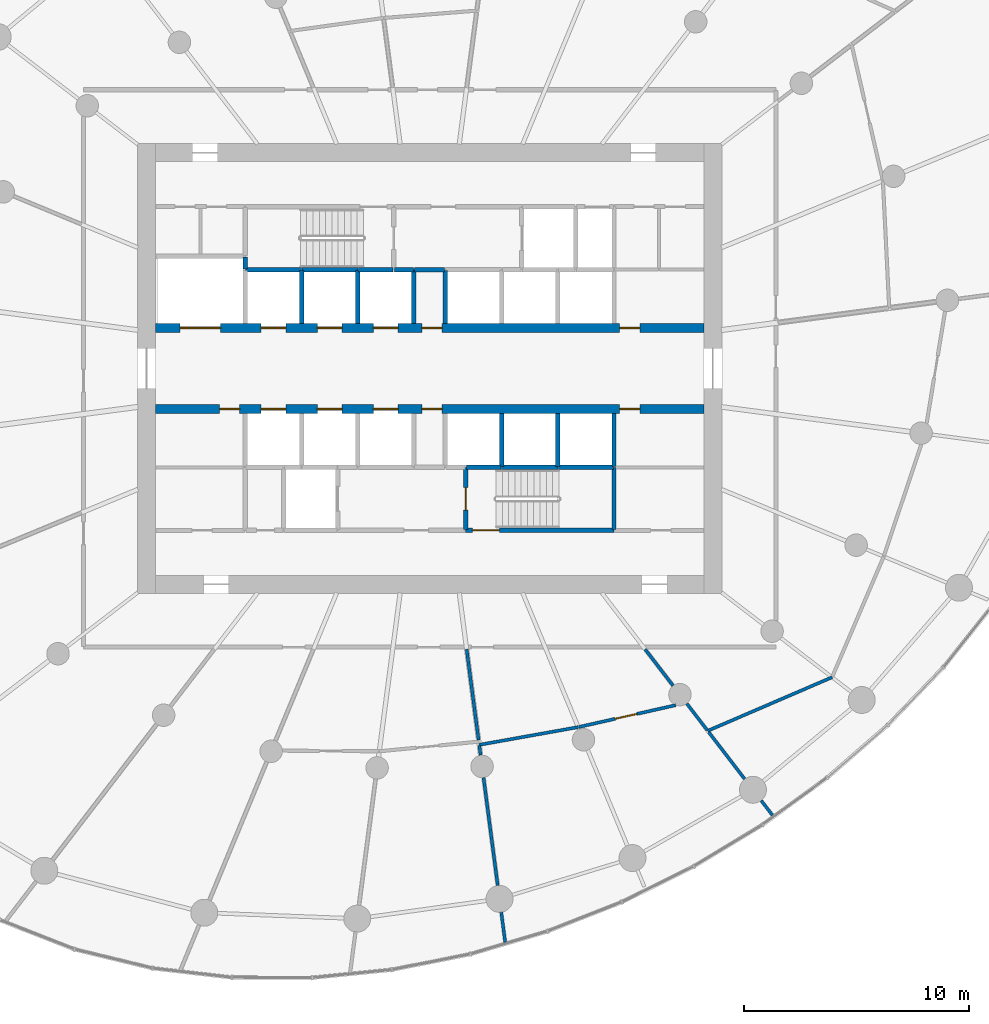
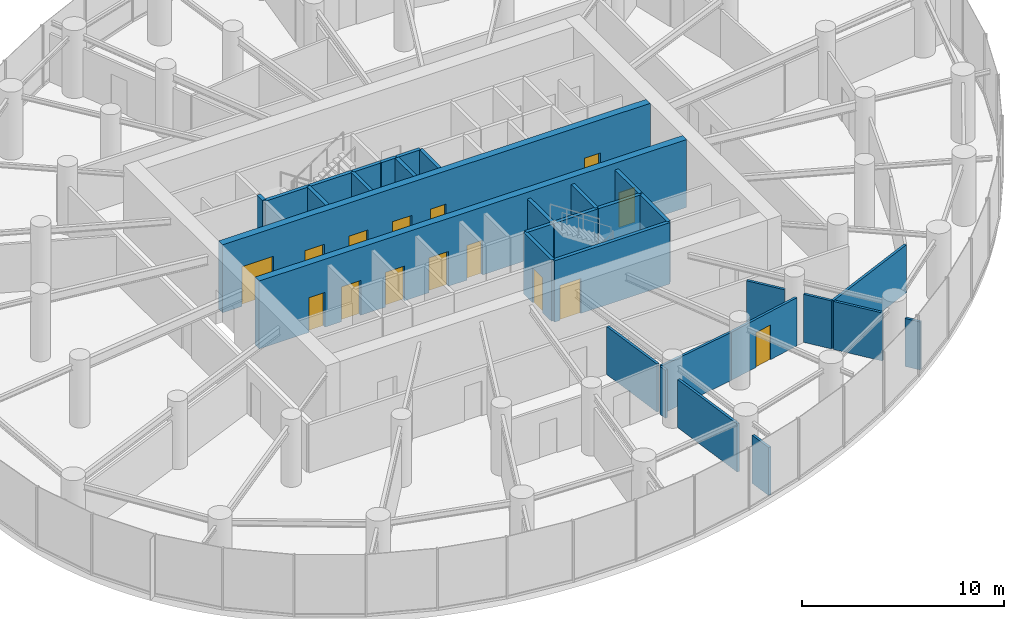
# One storey, part 11 of 17: 32 walls, 15 doors, 15 openings.
"""IFC4 building model written with IfcOpenShell, lengths in metres."""

from ifc_helpers import new_model, si_unit, direction, frame, frame_2d, origin, place, context, subcontext, project, spatial, rectangle, extrude, source, transform, mapped, material, layer, layer_set, type_object, element, fill, save


model = new_model("IFC4")

# Units and contexts
model_context = context("Model", 3, precision=1e-05, world=origin(), true_north=direction((0.0, 1.0)))
body_context = subcontext(model_context, "Body", "Model", "MODEL_VIEW")
ifc_project = project(units=[si_unit("LENGTHUNIT", "METRE"), si_unit("AREAUNIT", "SQUARE_METRE"), si_unit("VOLUMEUNIT", "CUBIC_METRE"), si_unit("PLANEANGLEUNIT", "RADIAN"), si_unit("MASSUNIT", "GRAM", prefix="KILO")], contexts=[model_context])

# Site, building, storey
site_placement = place(None, origin())
site = spatial("IfcSite", under=ifc_project, at=site_placement, CompositionType="ELEMENT")
building_placement = place(site_placement, origin())
building = spatial("IfcBuilding", under=site, at=building_placement, Name="Spindrift Exchange Tower", CompositionType="ELEMENT")
storey_placement = place(building_placement, frame((0.0, 0.0, 120.800048828125)))
storey = spatial("IfcBuildingStorey", under=building, at=storey_placement, Name="L28", CompositionType="ELEMENT", Elevation=120.800048828125)

# Wall, openings, doors
ifc_material_1 = material(Name="Concrete 65 MPa", Category="concrete")
ifc_layer_1 = layer(ifc_material_1, 0.39990234375)
ifc_layer_set_1 = layer_set([ifc_layer_1], Name="RC Spine Wall 400 Concrete 65 MPa")
wall_type_1 = type_object("IfcWallType", Name="RC Spine Wall 400 Concrete 65 MPa", PredefinedType="SHEAR", material=ifc_layer_set_1)
wall_1_placement = place(storey_placement, frame((39.800048828125, 49.800048828125, 0.0), z_axis=(0.0, 0.0, 1.0), x_axis=(1.0, 0.0, 0.0)))
wall_1 = element("IfcWall", 1, at=wall_1_placement, inside=storey, type_object=wall_type_1, Name="Core spine wall N L28", PredefinedType="SHEAR", context=body_context, shape_type="SweptSolid", body=[
    extrude(rectangle(XDim=24.39990234375, YDim=0.39990234375, at=frame_2d((12.199951171875, 0.0))), origin(), (0.0, 0.0, 1.0), 4.099853515625),
])
opening_1_placement = place(wall_1_placement, frame((4.699951171875, 0.0, 0.0)))
opening_1 = element("IfcOpeningElement", 2, at=opening_1_placement, cuts=wall_1, Name="Opening L28-D3", PredefinedType="OPENING", context=body_context, shape_type="SweptSolid", body=[
    extrude(rectangle(XDim=1.10009765625, YDim=2.10009765625, at=frame_2d((0.550048828125, 1.050048828125))), frame((0.0, 0.2099609375, 0.0), z_axis=(0.0, -1.0, 0.0), x_axis=(1.0, 0.0, 0.0)), (0.0, 0.0, 1.0), 0.419921875),
])
opening_2_placement = place(wall_1_placement, frame((7.199951171875, 0.0, 0.0)))
opening_2 = element("IfcOpeningElement", 3, at=opening_2_placement, cuts=wall_1, Name="Opening L28-D4", PredefinedType="OPENING", context=body_context, shape_type="SweptSolid", body=[
    extrude(rectangle(XDim=1.10009765625, YDim=2.10009765625, at=frame_2d((0.550048828125, 1.050048828125))), frame((0.0, 0.2099609375, 0.0), z_axis=(0.0, -1.0, 0.0), x_axis=(1.0, 0.0, 0.0)), (0.0, 0.0, 1.0), 0.419921875),
])
opening_3_placement = place(wall_1_placement, frame((9.699951171875, 0.0, 0.0)))
opening_3 = element("IfcOpeningElement", 4, at=opening_3_placement, cuts=wall_1, Name="Opening L28-D5", PredefinedType="OPENING", context=body_context, shape_type="SweptSolid", body=[
    extrude(rectangle(XDim=1.10009765625, YDim=2.10009765625, at=frame_2d((0.550048828125, 1.050048828125))), frame((0.0, 0.2099609375, 0.0), z_axis=(0.0, -1.0, 0.0), x_axis=(1.0, 0.0, 0.0)), (0.0, 0.0, 1.0), 0.419921875),
])
opening_4_placement = place(wall_1_placement, frame((1.10009765625, 0.0, 0.0)))
opening_4 = element("IfcOpeningElement", 5, at=opening_4_placement, cuts=wall_1, Name="Opening L28-D12", PredefinedType="OPENING", context=body_context, shape_type="SweptSolid", body=[
    extrude(rectangle(XDim=1.800048828125, YDim=2.39990234375, at=frame_2d((0.89990234375, 1.199951171875))), frame((0.0, 0.2099609375, 0.0), z_axis=(0.0, -1.0, 0.0), x_axis=(1.0, 0.0, 0.0)), (0.0, 0.0, 1.0), 0.419921875),
])
opening_5_placement = place(wall_1_placement, frame((20.64990234375, 0.0, 0.0)))
opening_5 = element("IfcOpeningElement", 6, at=opening_5_placement, cuts=wall_1, Name="Opening L28-D48", PredefinedType="OPENING", context=body_context, shape_type="SweptSolid", body=[
    extrude(rectangle(XDim=0.89990234375, YDim=2.10009765625, at=frame_2d((0.449951171875, 1.050048828125))), frame((0.0, 0.2099609375, 0.0), z_axis=(0.0, -1.0, 0.0), x_axis=(1.0, 0.0, 0.0)), (0.0, 0.0, 1.0), 0.419921875),
])
opening_6_placement = place(wall_1_placement, frame((11.85009765625, 0.0, 0.0)))
opening_6 = element("IfcOpeningElement", 7, at=opening_6_placement, cuts=wall_1, Name="Opening L28-D53", PredefinedType="OPENING", context=body_context, shape_type="SweptSolid", body=[
    extrude(rectangle(XDim=0.89990234375, YDim=2.10009765625, at=frame_2d((0.449951171875, 1.050048828125))), frame((0.0, 0.2099609375, 0.0), z_axis=(0.0, -1.0, 0.0), x_axis=(1.0, 0.0, 0.0)), (0.0, 0.0, 1.0), 0.419921875),
])
ifc_material_2 = material(Name="Stainless steel landing door", Category="steel")
door_type_1 = type_object("IfcDoorType", Name="DR-LANDING-1100-SL", OperationType="DOUBLE_DOOR_SLIDING", PredefinedType="USERDEFINED", material=ifc_material_2)
shared_shape_1 = source(origin(), body_context, "Body", "SweptSolid", [
    extrude(rectangle(XDim=1.10009765625, YDim=2.10009765625, at=frame_2d((0.550048828125, 1.050048828125))), frame((0.0, 0.02490234375, 0.0), z_axis=(0.0, -1.0, 0.0), x_axis=(1.0, 0.0, 0.0)), (0.0, 0.0, 1.0), 0.050048828125),
])
door_1_placement = place(opening_1_placement, origin())
door_1 = element("IfcDoor", 8, at=door_1_placement, inside=storey, type_object=door_type_1, Name="L28 Lift landing door 3", ObjectType="LANDING DOOR", OperationType="DOUBLE_DOOR_SLIDING", OverallHeight=2.10009765625, OverallWidth=1.10009765625, PredefinedType="USERDEFINED", context=body_context, shape_type="MappedRepresentation", body=[
    mapped(shared_shape_1, transform((0.0, 0.0, 0.0), scale=1.0)),
])
fill(opening_1, door_1)
door_2_placement = place(opening_2_placement, origin())
door_2 = element("IfcDoor", 9, at=door_2_placement, inside=storey, type_object=door_type_1, Name="L28 Lift landing door 4", ObjectType="LANDING DOOR", OperationType="DOUBLE_DOOR_SLIDING", OverallHeight=2.10009765625, OverallWidth=1.10009765625, PredefinedType="USERDEFINED", context=body_context, shape_type="MappedRepresentation", body=[
    mapped(shared_shape_1, transform((0.0, 0.0, 0.0), scale=1.0)),
])
fill(opening_2, door_2)
door_3_placement = place(opening_3_placement, origin())
door_3 = element("IfcDoor", 10, at=door_3_placement, inside=storey, type_object=door_type_1, Name="L28 Lift landing door 5", ObjectType="LANDING DOOR", OperationType="DOUBLE_DOOR_SLIDING", OverallHeight=2.10009765625, OverallWidth=1.10009765625, PredefinedType="USERDEFINED", context=body_context, shape_type="MappedRepresentation", body=[
    mapped(shared_shape_1, transform((0.0, 0.0, 0.0), scale=1.0)),
])
fill(opening_3, door_3)
door_type_2 = type_object("IfcDoorType", Name="DR-LANDING-1800-SL", OperationType="DOUBLE_DOOR_SLIDING", PredefinedType="USERDEFINED", material=ifc_material_2)
shared_shape_2 = source(origin(), body_context, "Body", "SweptSolid", [
    extrude(rectangle(XDim=1.800048828125, YDim=2.39990234375, at=frame_2d((0.89990234375, 1.199951171875))), frame((0.0, 0.02490234375, 0.0), z_axis=(0.0, -1.0, 0.0), x_axis=(1.0, 0.0, 0.0)), (0.0, 0.0, 1.0), 0.050048828125),
])
door_4_placement = place(opening_4_placement, origin())
door_4 = element("IfcDoor", 11, at=door_4_placement, inside=storey, type_object=door_type_2, Name="L28 Lift landing door 12", ObjectType="LANDING DOOR", OperationType="DOUBLE_DOOR_SLIDING", OverallHeight=2.39990234375, OverallWidth=1.800048828125, PredefinedType="USERDEFINED", context=body_context, shape_type="MappedRepresentation", body=[
    mapped(shared_shape_2, transform((0.0, 0.0, 0.0), scale=1.0)),
])
fill(opening_4, door_4)
ifc_material_3 = material(Name="Steel access door", Category="steel")
door_type_3 = type_object("IfcDoorType", Name="DR-RISER-900", OperationType="NOTDEFINED", PredefinedType="DOOR", material=ifc_material_3)
shared_shape_3 = source(origin(), body_context, "Body", "SweptSolid", [
    extrude(rectangle(XDim=0.89990234375, YDim=2.10009765625, at=frame_2d((0.449951171875, 1.050048828125))), frame((0.0, 0.02490234375, 0.0), z_axis=(0.0, -1.0, 0.0), x_axis=(1.0, 0.0, 0.0)), (0.0, 0.0, 1.0), 0.050048828125),
])
door_5_placement = place(opening_5_placement, origin())
door_5 = element("IfcDoor", 12, at=door_5_placement, inside=storey, type_object=door_type_3, Name="L28 Riser door 48", OperationType="SINGLE_SWING_LEFT", OverallHeight=2.10009765625, OverallWidth=0.89990234375, PredefinedType="DOOR", context=body_context, shape_type="MappedRepresentation", body=[
    mapped(shared_shape_3, transform((0.0, 0.0, 0.0), scale=1.0)),
])
fill(opening_5, door_5)
door_6_placement = place(opening_6_placement, origin())
door_6 = element("IfcDoor", 13, at=door_6_placement, inside=storey, type_object=door_type_3, Name="L28 Riser door 53", OperationType="SINGLE_SWING_RIGHT", OverallHeight=2.10009765625, OverallWidth=0.89990234375, PredefinedType="DOOR", context=body_context, shape_type="MappedRepresentation", body=[
    mapped(shared_shape_3, transform((0.0, 0.0, 0.0), scale=1.0)),
])
fill(opening_6, door_6)

wall_2_placement = place(storey_placement, frame((39.800048828125, 46.199951171875, 0.0), z_axis=(0.0, 0.0, 1.0), x_axis=(1.0, 0.0, 0.0)))
wall_2 = element("IfcWall", 14, at=wall_2_placement, inside=storey, type_object=wall_type_1, Name="Core spine wall S L28", PredefinedType="SHEAR", context=body_context, shape_type="SweptSolid", body=[
    extrude(rectangle(XDim=24.39990234375, YDim=0.39990234375, at=frame_2d((12.199951171875, 0.0))), origin(), (0.0, 0.0, 1.0), 4.099853515625),
])
opening_7_placement = place(wall_2_placement, frame((4.699951171875, 0.0, 0.0)))
opening_7 = element("IfcOpeningElement", 15, at=opening_7_placement, cuts=wall_2, Name="Opening L28-D6", PredefinedType="OPENING", context=body_context, shape_type="SweptSolid", body=[
    extrude(rectangle(XDim=1.10009765625, YDim=2.10009765625, at=frame_2d((0.550048828125, 1.050048828125))), frame((0.0, 0.2099609375, 0.0), z_axis=(0.0, -1.0, 0.0), x_axis=(1.0, 0.0, 0.0)), (0.0, 0.0, 1.0), 0.419921875),
])
opening_8_placement = place(wall_2_placement, frame((7.199951171875, 0.0, 0.0)))
opening_8 = element("IfcOpeningElement", 16, at=opening_8_placement, cuts=wall_2, Name="Opening L28-D7", PredefinedType="OPENING", context=body_context, shape_type="SweptSolid", body=[
    extrude(rectangle(XDim=1.10009765625, YDim=2.10009765625, at=frame_2d((0.550048828125, 1.050048828125))), frame((0.0, 0.2099609375, 0.0), z_axis=(0.0, -1.0, 0.0), x_axis=(1.0, 0.0, 0.0)), (0.0, 0.0, 1.0), 0.419921875),
])
opening_9_placement = place(wall_2_placement, frame((9.699951171875, 0.0, 0.0)))
opening_9 = element("IfcOpeningElement", 17, at=opening_9_placement, cuts=wall_2, Name="Opening L28-D8", PredefinedType="OPENING", context=body_context, shape_type="SweptSolid", body=[
    extrude(rectangle(XDim=1.10009765625, YDim=2.10009765625, at=frame_2d((0.550048828125, 1.050048828125))), frame((0.0, 0.2099609375, 0.0), z_axis=(0.0, -1.0, 0.0), x_axis=(1.0, 0.0, 0.0)), (0.0, 0.0, 1.0), 0.419921875),
])
opening_10_placement = place(wall_2_placement, frame((20.64990234375, 0.0, 0.0)))
opening_10 = element("IfcOpeningElement", 18, at=opening_10_placement, cuts=wall_2, Name="Opening L28-D47", PredefinedType="OPENING", context=body_context, shape_type="SweptSolid", body=[
    extrude(rectangle(XDim=0.89990234375, YDim=2.10009765625, at=frame_2d((0.449951171875, 1.050048828125))), frame((0.0, 0.2099609375, 0.0), z_axis=(0.0, -1.0, 0.0), x_axis=(1.0, 0.0, 0.0)), (0.0, 0.0, 1.0), 0.419921875),
])
opening_11_placement = place(wall_2_placement, frame((2.85009765625, 0.0, 0.0)))
opening_11 = element("IfcOpeningElement", 19, at=opening_11_placement, cuts=wall_2, Name="Opening L28-D52", PredefinedType="OPENING", context=body_context, shape_type="SweptSolid", body=[
    extrude(rectangle(XDim=0.89990234375, YDim=2.10009765625, at=frame_2d((0.449951171875, 1.050048828125))), frame((0.0, 0.2099609375, 0.0), z_axis=(0.0, -1.0, 0.0), x_axis=(1.0, 0.0, 0.0)), (0.0, 0.0, 1.0), 0.419921875),
])
opening_12_placement = place(wall_2_placement, frame((11.85009765625, 0.0, 0.0)))
opening_12 = element("IfcOpeningElement", 20, at=opening_12_placement, cuts=wall_2, Name="Opening L28-D54", PredefinedType="OPENING", context=body_context, shape_type="SweptSolid", body=[
    extrude(rectangle(XDim=0.89990234375, YDim=2.10009765625, at=frame_2d((0.449951171875, 1.050048828125))), frame((0.0, 0.2099609375, 0.0), z_axis=(0.0, -1.0, 0.0), x_axis=(1.0, 0.0, 0.0)), (0.0, 0.0, 1.0), 0.419921875),
])
door_7_placement = place(opening_7_placement, origin())
door_7 = element("IfcDoor", 21, at=door_7_placement, inside=storey, type_object=door_type_1, Name="L28 Lift landing door 6", ObjectType="LANDING DOOR", OperationType="DOUBLE_DOOR_SLIDING", OverallHeight=2.10009765625, OverallWidth=1.10009765625, PredefinedType="USERDEFINED", context=body_context, shape_type="MappedRepresentation", body=[
    mapped(shared_shape_1, transform((0.0, 0.0, 0.0), scale=1.0)),
])
fill(opening_7, door_7)
door_8_placement = place(opening_8_placement, origin())
door_8 = element("IfcDoor", 22, at=door_8_placement, inside=storey, type_object=door_type_1, Name="L28 Lift landing door 7", ObjectType="LANDING DOOR", OperationType="DOUBLE_DOOR_SLIDING", OverallHeight=2.10009765625, OverallWidth=1.10009765625, PredefinedType="USERDEFINED", context=body_context, shape_type="MappedRepresentation", body=[
    mapped(shared_shape_1, transform((0.0, 0.0, 0.0), scale=1.0)),
])
fill(opening_8, door_8)
door_9_placement = place(opening_9_placement, origin())
door_9 = element("IfcDoor", 23, at=door_9_placement, inside=storey, type_object=door_type_1, Name="L28 Lift landing door 8", ObjectType="LANDING DOOR", OperationType="DOUBLE_DOOR_SLIDING", OverallHeight=2.10009765625, OverallWidth=1.10009765625, PredefinedType="USERDEFINED", context=body_context, shape_type="MappedRepresentation", body=[
    mapped(shared_shape_1, transform((0.0, 0.0, 0.0), scale=1.0)),
])
fill(opening_9, door_9)
door_10_placement = place(opening_10_placement, origin())
door_10 = element("IfcDoor", 24, at=door_10_placement, inside=storey, type_object=door_type_3, Name="L28 Riser door 47", OperationType="SINGLE_SWING_RIGHT", OverallHeight=2.10009765625, OverallWidth=0.89990234375, PredefinedType="DOOR", context=body_context, shape_type="MappedRepresentation", body=[
    mapped(shared_shape_3, transform((0.0, 0.0, 0.0), scale=1.0)),
])
fill(opening_10, door_10)
door_11_placement = place(opening_11_placement, origin())
door_11 = element("IfcDoor", 25, at=door_11_placement, inside=storey, type_object=door_type_3, Name="L28 Riser door 52", OperationType="SINGLE_SWING_LEFT", OverallHeight=2.10009765625, OverallWidth=0.89990234375, PredefinedType="DOOR", context=body_context, shape_type="MappedRepresentation", body=[
    mapped(shared_shape_3, transform((0.0, 0.0, 0.0), scale=1.0)),
])
fill(opening_11, door_11)
door_12_placement = place(opening_12_placement, origin())
door_12 = element("IfcDoor", 26, at=door_12_placement, inside=storey, type_object=door_type_3, Name="L28 Riser door 54", OperationType="SINGLE_SWING_LEFT", OverallHeight=2.10009765625, OverallWidth=0.89990234375, PredefinedType="DOOR", context=body_context, shape_type="MappedRepresentation", body=[
    mapped(shared_shape_3, transform((0.0, 0.0, 0.0), scale=1.0)),
])
fill(opening_12, door_12)

# Walls
ifc_material_4 = material(Name="Fire-rated plasterboard partition", Category="gypsum")
ifc_layer_2 = layer(ifc_material_4, 0.139892578125)
ifc_layer_set_2 = layer_set([ifc_layer_2], Name="W-PART-140")
wall_type_2 = type_object("IfcWallType", Name="W-PART-140", PredefinedType="PARTITIONING", material=ifc_layer_set_2)
wall_3_placement = place(storey_placement, frame((54.396484375, 29.796630859375, 0.0), z_axis=(0.0, 0.0, 1.0), x_axis=(0.130552494248, -0.991441398291, 0.0)))
element("IfcWall", 27, at=wall_3_placement, inside=storey, type_object=wall_type_2, Name="L28 Partition wall 81", PredefinedType="PARTITIONING", context=body_context, shape_type="SweptSolid", body=[
    extrude(rectangle(XDim=4.833984375, YDim=0.139892578125, at=frame_2d((2.4169921875, 0.0))), origin(), (0.0, 0.0, 1.0), 2.89990234375),
])
wall_4_placement = place(storey_placement, frame((54.204345703125, 31.25634765625, 0.0), z_axis=(0.0, 0.0, 1.0), x_axis=(0.984348229454, 0.176234398378, 0.0)))
element("IfcWall", 28, at=wall_4_placement, inside=storey, type_object=wall_type_2, Name="L28 Partition wall 84", PredefinedType="PARTITIONING", context=body_context, shape_type="SweptSolid", body=[
    extrude(rectangle(XDim=4.474609375, YDim=0.139892578125, at=frame_2d((2.2373046875, 0.0))), origin(), (0.0, 0.0, 1.0), 2.89990234375),
])

# Wall, opening, door
wall_5_placement = place(storey_placement, frame((62.9462890625, 33.021484375, 0.0), z_axis=(0.0, 0.0, 1.0), x_axis=(-0.975566521818, -0.219704259192, 0.0)))
wall_5 = element("IfcWall", 29, at=wall_5_placement, inside=storey, type_object=wall_type_2, Name="L28 Partition wall 86", PredefinedType="PARTITIONING", context=body_context, shape_type="SweptSolid", body=[
    extrude(rectangle(XDim=4.416015625, YDim=0.139892578125, at=frame_2d((2.2080078125, 0.0))), origin(), (0.0, 0.0, 1.0), 2.89990234375),
])
opening_13_placement = place(wall_5_placement, frame((1.76611328125, 0.0, 0.0)))
opening_13 = element("IfcOpeningElement", 30, at=opening_13_placement, cuts=wall_5, Name="Opening L28-D35", PredefinedType="OPENING", context=body_context, shape_type="SweptSolid", body=[
    extrude(rectangle(XDim=1.0, YDim=2.10009765625, at=frame_2d((0.5, 1.050048828125))), frame((0.0, 0.079833984375, 0.0), z_axis=(0.0, -1.0, 0.0), x_axis=(1.0, 0.0, 0.0)), (0.0, 0.0, 1.0), 0.159912109375),
])
ifc_material_5 = material(Name="Timber-core fire door", Category="wood")
door_type_4 = type_object("IfcDoorType", Name="DR-ROOM-1000", OperationType="NOTDEFINED", PredefinedType="DOOR", material=ifc_material_5)
shared_shape_4 = source(origin(), body_context, "Body", "SweptSolid", [
    extrude(rectangle(XDim=1.0, YDim=2.10009765625, at=frame_2d((0.5, 1.050048828125))), frame((0.0, 0.02490234375, 0.0), z_axis=(0.0, -1.0, 0.0), x_axis=(1.0, 0.0, 0.0)), (0.0, 0.0, 1.0), 0.050048828125),
])
door_13_placement = place(opening_13_placement, origin())
door_13 = element("IfcDoor", 31, at=door_13_placement, inside=storey, type_object=door_type_4, Name="L28 Door 35", OperationType="SINGLE_SWING_RIGHT", OverallHeight=2.10009765625, OverallWidth=1.0, PredefinedType="DOOR", context=body_context, shape_type="MappedRepresentation", body=[
    mapped(shared_shape_4, transform((0.0, 0.0, 0.0), scale=1.0)),
])
fill(opening_13, door_13)

# Walls
wall_6_placement = place(storey_placement, frame((53.644287109375, 35.510009765625, 0.0), z_axis=(0.0, 0.0, 1.0), x_axis=(0.130570713339, -0.99143899904, 0.0)))
element("IfcWall", 32, at=wall_6_placement, inside=storey, type_object=wall_type_2, Name="L28 Partition wall 88", PredefinedType="PARTITIONING", context=body_context, shape_type="SweptSolid", body=[
    extrude(rectangle(XDim=4.076171875, YDim=0.139892578125, at=frame_2d((2.0380859375, 0.0))), origin(), (0.0, 0.0, 1.0), 2.89990234375),
])
wall_7_placement = place(storey_placement, frame((64.4130859375, 31.822998046875, 0.0), z_axis=(0.0, 0.0, 1.0), x_axis=(0.608786176841, -0.793334349998, 0.0)))
element("IfcWall", 33, at=wall_7_placement, inside=storey, type_object=wall_type_2, Name="L28 Partition wall 103", PredefinedType="PARTITIONING", context=body_context, shape_type="SweptSolid", body=[
    extrude(rectangle(XDim=2.6298828125, YDim=0.139892578125, at=frame_2d((1.31494140625, 0.0))), origin(), (0.0, 0.0, 1.0), 2.89990234375),
])
wall_8_placement = place(storey_placement, frame((55.185302734375, 23.805419921875, 0.0), z_axis=(0.0, 0.0, 1.0), x_axis=(0.130426318704, -0.991458004854, 0.0)))
element("IfcWall", 34, at=wall_8_placement, inside=storey, type_object=wall_type_2, Name="L28 Partition wall 121", PredefinedType="PARTITIONING", context=body_context, shape_type="SweptSolid", body=[
    extrude(rectangle(XDim=1.343994140625, YDim=0.139892578125, at=frame_2d((0.671875, 0.0))), origin(), (0.0, 0.0, 1.0), 2.89990234375),
])
wall_9_placement = place(storey_placement, frame((66.75, 28.777587890625, 0.0), z_axis=(0.0, 0.0, 1.0), x_axis=(0.608749278859, -0.793362663281, 0.0)))
element("IfcWall", 35, at=wall_9_placement, inside=storey, type_object=wall_type_2, Name="L28 Partition wall 128", PredefinedType="PARTITIONING", context=body_context, shape_type="SweptSolid", body=[
    extrude(rectangle(XDim=0.822509765625, YDim=0.139892578125, at=frame_2d((0.4111328125, 0.0))), origin(), (0.0, 0.0, 1.0), 2.89990234375),
])
wall_10_placement = place(storey_placement, frame((54.208251953125, 31.226806640625, 0.0), z_axis=(0.0, 0.0, 1.0), x_axis=(0.130614709422, -0.991433203843, 0.0)))
element("IfcWall", 36, at=wall_10_placement, inside=storey, type_object=wall_type_2, Name="L28 Partition wall 129", PredefinedType="PARTITIONING", context=body_context, shape_type="SweptSolid", body=[
    extrude(rectangle(XDim=0.43359375, YDim=0.139892578125, at=frame_2d((0.216796875, 0.0))), origin(), (0.0, 0.0, 1.0), 2.89990234375),
])
ifc_layer_3 = layer(ifc_material_4, 0.139892578125)
ifc_layer_set_3 = layer_set([ifc_layer_3], Name="W-PLANT-140")
wall_type_3 = type_object("IfcWallType", Name="W-PLANT-140", PredefinedType="PARTITIONING", material=ifc_layer_set_3)
wall_11_placement = place(storey_placement, frame((64.369140625, 31.880126953125, 0.0), z_axis=(0.0, 0.0, 1.0), x_axis=(0.918435041442, 0.395571832481, 0.0)))
element("IfcWall", 37, at=wall_11_placement, inside=storey, type_object=wall_type_3, Name="L28 Partition wall 71", PredefinedType="PARTITIONING", context=body_context, shape_type="SweptSolid", body=[
    extrude(rectangle(XDim=6.0244140625, YDim=0.139892578125, at=frame_2d((3.01220703125, 0.0))), origin(), (0.0, 0.0, 1.0), 2.89990234375),
])
wall_12_placement = place(storey_placement, frame((61.583984375, 35.510009765625, 0.0), z_axis=(0.0, 0.0, 1.0), x_axis=(0.608727763541, -0.793379171578, 0.0)))
element("IfcWall", 38, at=wall_12_placement, inside=storey, type_object=wall_type_3, Name="L28 Partition wall 111", PredefinedType="PARTITIONING", context=body_context, shape_type="SweptSolid", body=[
    extrude(rectangle(XDim=2.04150390625, YDim=0.139892578125, at=frame_2d((1.020751953125, 0.0))), origin(), (0.0, 0.0, 1.0), 2.89990234375),
])
wall_13_placement = place(storey_placement, frame((63.44091796875, 33.08984375, 0.0), z_axis=(0.0, 0.0, 1.0), x_axis=(0.608692090741, -0.793406540601, 0.0)))
element("IfcWall", 39, at=wall_13_placement, inside=storey, type_object=wall_type_3, Name="L28 Partition wall 119", PredefinedType="PARTITIONING", context=body_context, shape_type="SweptSolid", body=[
    extrude(rectangle(XDim=1.494873046875, YDim=0.139892578125, at=frame_2d((0.74755859375, 0.0))), origin(), (0.0, 0.0, 1.0), 2.89990234375),
])
ifc_material_6 = material(Name="Concrete 40 MPa", Category="concrete")
ifc_layer_4 = layer(ifc_material_6, 0.199951171875)
ifc_layer_set_4 = layer_set([ifc_layer_4], Name="W-SHAFT-200")
wall_type_4 = type_object("IfcWallType", Name="W-SHAFT-200", PredefinedType="SOLIDWALL", material=ifc_layer_set_4)
wall_14_placement = place(storey_placement, frame((51.300048828125, 50.010009765625, 0.0), z_axis=(0.0, 0.0, 1.0), x_axis=(0.0, 1.0, 0.0)))
element("IfcWall", 40, at=wall_14_placement, inside=storey, type_object=wall_type_4, Name="L28 Shaft wall 30", PredefinedType="SOLIDWALL", context=body_context, shape_type="SweptSolid", body=[
    extrude(rectangle(XDim=2.389892578125, YDim=0.199951171875, at=frame_2d((1.19482421875, 0.0))), origin(), (0.0, 0.0, 1.0), 3.699951171875),
])
wall_15_placement = place(storey_placement, frame((52.699951171875, 52.3701171875, 0.0), z_axis=(0.0, 0.0, 1.0), x_axis=(0.0, -1.0, 0.0)))
element("IfcWall", 41, at=wall_15_placement, inside=storey, type_object=wall_type_4, Name="L28 Shaft wall 32", PredefinedType="SOLIDWALL", context=body_context, shape_type="SweptSolid", body=[
    extrude(rectangle(XDim=2.360107421875, YDim=0.199951171875, at=frame_2d((1.18017578125, 0.0))), origin(), (0.0, 0.0, 1.0), 3.699951171875),
])
wall_16_placement = place(storey_placement, frame((51.330078125, 52.39990234375, 0.0), z_axis=(0.0, 0.0, 1.0), x_axis=(1.0, 0.0, 0.0)))
element("IfcWall", 42, at=wall_16_placement, inside=storey, type_object=wall_type_4, Name="L28 Shaft wall 49", PredefinedType="SOLIDWALL", context=body_context, shape_type="SweptSolid", body=[
    extrude(rectangle(XDim=1.33984375, YDim=0.199951171875, at=frame_2d((0.669921875, 0.0))), origin(), (0.0, 0.0, 1.0), 3.699951171875),
])

# Wall, opening, door
ifc_layer_5 = layer(ifc_material_6, 0.199951171875)
ifc_layer_set_5 = layer_set([ifc_layer_5], Name="W-SHAFT-200-LB")
wall_type_5 = type_object("IfcWallType", Name="W-SHAFT-200-LB", PredefinedType="SOLIDWALL", material=ifc_layer_set_5)
wall_17_placement = place(storey_placement, frame((53.60009765625, 40.800048828125, 0.0), z_axis=(0.0, 0.0, 1.0), x_axis=(1.0, 0.0, 0.0)))
wall_17 = element("IfcWall", 43, at=wall_17_placement, inside=storey, type_object=wall_type_5, Name="L28 Shaft wall 2", PredefinedType="SOLIDWALL", context=body_context, shape_type="SweptSolid", body=[
    extrude(rectangle(XDim=6.599853515625, YDim=0.199951171875, at=frame_2d((3.2998046875, 0.0))), origin(), (0.0, 0.0, 1.0), 3.699951171875),
])
opening_14_placement = place(wall_17_placement, frame((0.300048828125, 0.0, 0.0)))
opening_14 = element("IfcOpeningElement", 44, at=opening_14_placement, cuts=wall_17, Name="Opening L28-D16", PredefinedType="OPENING", context=body_context, shape_type="SweptSolid", body=[
    extrude(rectangle(XDim=1.199951171875, YDim=2.10009765625, at=frame_2d((0.60009765625, 1.050048828125))), frame((0.0, 0.10986328125, 0.0), z_axis=(0.0, -1.0, 0.0), x_axis=(1.0, 0.0, 0.0)), (0.0, 0.0, 1.0), 0.219970703125),
])
ifc_material_7 = material(Name="Steel fire door", Category="steel")
door_type_5 = type_object("IfcDoorType", Name="DR-STAIR-1200", OperationType="NOTDEFINED", PredefinedType="DOOR", material=ifc_material_7)
shared_shape_5 = source(origin(), body_context, "Body", "SweptSolid", [
    extrude(rectangle(XDim=1.199951171875, YDim=2.10009765625, at=frame_2d((0.60009765625, 1.050048828125))), frame((0.0, 0.02490234375, 0.0), z_axis=(0.0, -1.0, 0.0), x_axis=(1.0, 0.0, 0.0)), (0.0, 0.0, 1.0), 0.050048828125),
])
door_14_placement = place(opening_14_placement, origin())
door_14 = element("IfcDoor", 45, at=door_14_placement, inside=storey, type_object=door_type_5, Name="L28 Stair door 16", OperationType="SINGLE_SWING_LEFT", OverallHeight=2.10009765625, OverallWidth=1.199951171875, PredefinedType="DOOR", context=body_context, shape_type="MappedRepresentation", body=[
    mapped(shared_shape_5, transform((0.0, 0.0, 0.0), scale=1.0)),
])
fill(opening_14, door_14)

# Wall
wall_18_placement = place(storey_placement, frame((60.199951171875, 40.830078125, 0.0), z_axis=(0.0, 0.0, 1.0), x_axis=(0.0, 1.0, 0.0)))
element("IfcWall", 46, at=wall_18_placement, inside=storey, type_object=wall_type_5, Name="L28 Shaft wall 10", PredefinedType="SOLIDWALL", context=body_context, shape_type="SweptSolid", body=[
    extrude(rectangle(XDim=2.77001953125, YDim=0.199951171875, at=frame_2d((1.385009765625, 0.0))), origin(), (0.0, 0.0, 1.0), 3.699951171875),
])

# Wall, opening, door
wall_19_placement = place(storey_placement, frame((53.60009765625, 43.60009765625, 0.0), z_axis=(0.0, 0.0, 1.0), x_axis=(0.0, -1.0, 0.0)))
wall_19 = element("IfcWall", 47, at=wall_19_placement, inside=storey, type_object=wall_type_5, Name="L28 Shaft wall 11", PredefinedType="SOLIDWALL", context=body_context, shape_type="SweptSolid", body=[
    extrude(rectangle(XDim=2.77001953125, YDim=0.199951171875, at=frame_2d((1.385009765625, 0.0))), origin(), (0.0, 0.0, 1.0), 3.699951171875),
])
opening_15_placement = place(wall_19_placement, frame((0.89990234375, 0.0, 0.0)))
opening_15 = element("IfcOpeningElement", 48, at=opening_15_placement, cuts=wall_19, Name="Opening L28-D17", PredefinedType="OPENING", context=body_context, shape_type="SweptSolid", body=[
    extrude(rectangle(XDim=1.0, YDim=2.10009765625, at=frame_2d((0.5, 1.050048828125))), frame((0.0, 0.10986328125, 0.0), z_axis=(0.0, -1.0, 0.0), x_axis=(1.0, 0.0, 0.0)), (0.0, 0.0, 1.0), 0.219970703125),
])
door_type_6 = type_object("IfcDoorType", Name="DR-STAIR-1000", OperationType="NOTDEFINED", PredefinedType="DOOR", material=ifc_material_7)
shared_shape_6 = source(origin(), body_context, "Body", "SweptSolid", [
    extrude(rectangle(XDim=1.0, YDim=2.10009765625, at=frame_2d((0.5, 1.050048828125))), frame((0.0, 0.02490234375, 0.0), z_axis=(0.0, -1.0, 0.0), x_axis=(1.0, 0.0, 0.0)), (0.0, 0.0, 1.0), 0.050048828125),
])
door_15_placement = place(opening_15_placement, origin())
door_15 = element("IfcDoor", 49, at=door_15_placement, inside=storey, type_object=door_type_6, Name="L28 Stair door 17", OperationType="SINGLE_SWING_RIGHT", OverallHeight=2.10009765625, OverallWidth=1.0, PredefinedType="DOOR", context=body_context, shape_type="MappedRepresentation", body=[
    mapped(shared_shape_6, transform((0.0, 0.0, 0.0), scale=1.0)),
])
fill(opening_15, door_15)

# Walls
wall_20_placement = place(storey_placement, frame((46.300048828125, 52.39990234375, 0.0), z_axis=(0.0, 0.0, 1.0), x_axis=(-1.0, 0.0, 0.0)))
element("IfcWall", 50, at=wall_20_placement, inside=storey, type_object=wall_type_5, Name="L28 Shaft wall 15", PredefinedType="SOLIDWALL", context=body_context, shape_type="SweptSolid", body=[
    extrude(rectangle(XDim=2.5, YDim=0.199951171875, at=frame_2d((1.25, 0.0))), origin(), (0.0, 0.0, 1.0), 3.699951171875),
])
wall_21_placement = place(storey_placement, frame((48.800048828125, 52.39990234375, 0.0), z_axis=(0.0, 0.0, 1.0), x_axis=(-1.0, 0.0, 0.0)))
element("IfcWall", 51, at=wall_21_placement, inside=storey, type_object=wall_type_5, Name="L28 Shaft wall 16", PredefinedType="SOLIDWALL", context=body_context, shape_type="SweptSolid", body=[
    extrude(rectangle(XDim=2.469970703125, YDim=0.199951171875, at=frame_2d((1.23486328125, 0.0))), origin(), (0.0, 0.0, 1.0), 3.699951171875),
])
wall_22_placement = place(storey_placement, frame((55.199951171875, 43.60009765625, 0.0), z_axis=(0.0, 0.0, 1.0), x_axis=(1.0, 0.0, 0.0)))
element("IfcWall", 52, at=wall_22_placement, inside=storey, type_object=wall_type_5, Name="L28 Shaft wall 19", PredefinedType="SOLIDWALL", context=body_context, shape_type="SweptSolid", body=[
    extrude(rectangle(XDim=2.5, YDim=0.199951171875, at=frame_2d((1.25, 0.0))), origin(), (0.0, 0.0, 1.0), 3.699951171875),
])
wall_23_placement = place(storey_placement, frame((57.72998046875, 43.60009765625, 0.0), z_axis=(0.0, 0.0, 1.0), x_axis=(1.0, 0.0, 0.0)))
element("IfcWall", 53, at=wall_23_placement, inside=storey, type_object=wall_type_5, Name="L28 Shaft wall 20", PredefinedType="SOLIDWALL", context=body_context, shape_type="SweptSolid", body=[
    extrude(rectangle(XDim=2.43994140625, YDim=0.199951171875, at=frame_2d((1.219970703125, 0.0))), origin(), (0.0, 0.0, 1.0), 3.699951171875),
])
for number, where, z_axis, x_axis, name in (
    (54, (46.300048828125, 50.010009765625, 0.0), (0.0, 0.0, 1.0), (0.0, 1.0, 0.0), "L28 Shaft wall 26"),
    (55, (48.800048828125, 50.010009765625, 0.0), (0.0, 0.0, 1.0), (0.0, 1.0, 0.0), "L28 Shaft wall 28"),
    (56, (55.199951171875, 43.6298828125, 0.0), (0.0, 0.0, 1.0), (0.0, 1.0, 0.0), "L28 Shaft wall 33"),
    (57, (57.699951171875, 43.6298828125, 0.0), (0.0, 0.0, 1.0), (0.0, 1.0, 0.0), "L28 Shaft wall 35"),
    (58, (60.199951171875, 43.6298828125, 0.0), (0.0, 0.0, 1.0), (0.0, 1.0, 0.0), "L28 Shaft wall 37"),
):
    element("IfcWall", number, at=place(storey_placement, frame(where, z_axis=z_axis, x_axis=x_axis)), inside=storey, type_object=wall_type_5, Name=name, PredefinedType="SOLIDWALL", context=body_context, shape_type="SweptSolid", body=[
        extrude(rectangle(XDim=2.360107421875, YDim=0.199951171875, at=frame_2d((1.18017578125, 0.0))), origin(), (0.0, 0.0, 1.0), 3.699951171875),
    ])
for number, where, z_axis, x_axis, name in (
    (59, (50.3701171875, 52.39990234375, 0.0), (0.0, 0.0, 1.0), (-1.0, 0.0, 0.0), "L28 Shaft wall 45"),
    (60, (53.6298828125, 43.60009765625, 0.0), (0.0, 0.0, 1.0), (1.0, 0.0, 0.0), "L28 Shaft wall 46"),
):
    element("IfcWall", number, at=place(storey_placement, frame(where, z_axis=z_axis, x_axis=x_axis)), inside=storey, type_object=wall_type_5, Name=name, PredefinedType="SOLIDWALL", context=body_context, shape_type="SweptSolid", body=[
        extrude(rectangle(XDim=1.5400390625, YDim=0.199951171875, at=frame_2d((0.77001953125, 0.0))), origin(), (0.0, 0.0, 1.0), 3.699951171875),
    ])
wall_24_placement = place(storey_placement, frame((51.27001953125, 52.39990234375, 0.0), z_axis=(0.0, 0.0, 1.0), x_axis=(-1.0, 0.0, 0.0)))
element("IfcWall", 61, at=wall_24_placement, inside=storey, type_object=wall_type_5, Name="L28 Shaft wall 51", PredefinedType="SOLIDWALL", context=body_context, shape_type="SweptSolid", body=[
    extrude(rectangle(XDim=0.840087890625, YDim=0.199951171875, at=frame_2d((0.419921875, 0.0))), origin(), (0.0, 0.0, 1.0), 3.699951171875),
])
wall_25_placement = place(storey_placement, frame((43.800048828125, 52.429931640625, 0.0), z_axis=(0.0, 0.0, 1.0), x_axis=(0.0, 1.0, 0.0)))
element("IfcWall", 62, at=wall_25_placement, inside=storey, type_object=wall_type_5, Name="L28 Shaft wall 56", PredefinedType="SOLIDWALL", context=body_context, shape_type="SweptSolid", body=[
    extrude(rectangle(XDim=0.5400390625, YDim=0.199951171875, at=frame_2d((0.27001953125, 0.0))), origin(), (0.0, 0.0, 1.0), 3.699951171875),
])

save(model, "model.ifc")
